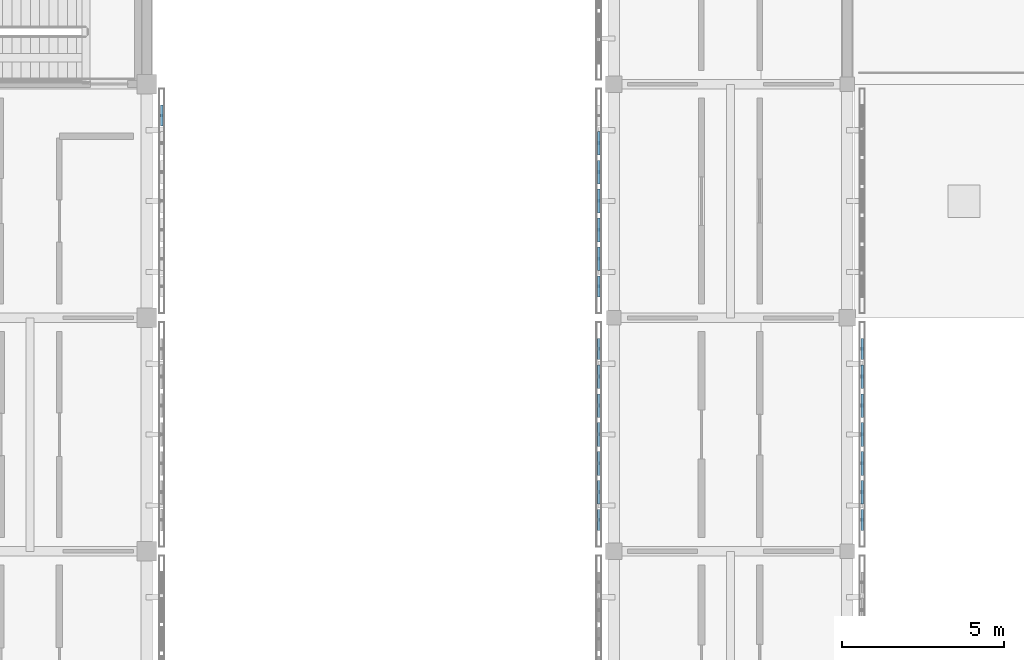
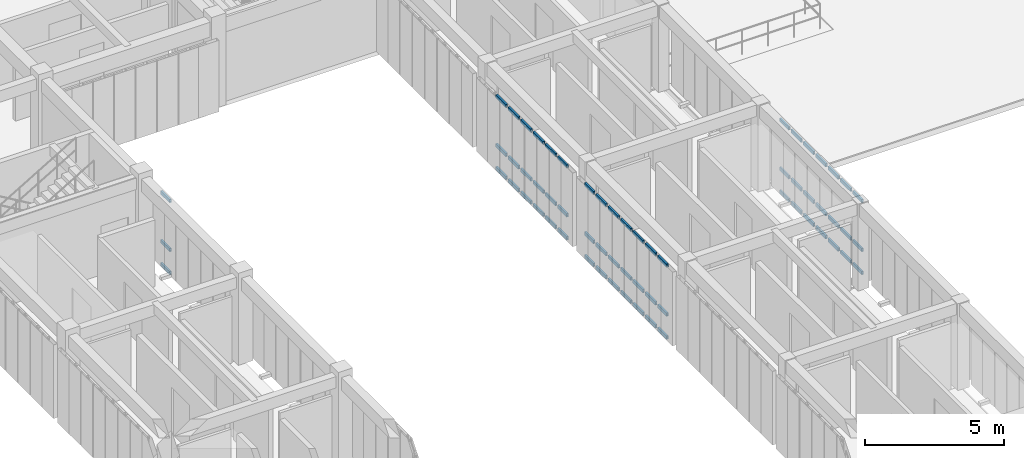
# One storey, part 22 of 67: 63 members, 4 elements without a shape of their own.
"""IFC4 building model written with IfcOpenShell, lengths in metres."""

from ifc_helpers import new_model, si_unit, direction, frame, origin, origin_2d, place, context, subcontext, project, spatial, hollow_rectangle, extrude, material, material_profile, profile_set, type_object, element, aggregate, save


model = new_model("IFC4")

# Units and contexts
model_context = context("Model", 3, precision=1e-05, world=origin(), true_north=direction((0.0, 1.0)))
body_context = subcontext(model_context, "Body", "Model", "MODEL_VIEW")
ifc_project = project(units=[si_unit("LENGTHUNIT", "METRE"), si_unit("AREAUNIT", "SQUARE_METRE"), si_unit("VOLUMEUNIT", "CUBIC_METRE"), si_unit("PLANEANGLEUNIT", "RADIAN"), si_unit("MASSUNIT", "GRAM", prefix="KILO")], contexts=[model_context])

# Site, building, storey
site_placement = place(None, origin())
site = spatial("IfcSite", under=ifc_project, at=site_placement, CompositionType="ELEMENT")
building_placement = place(site_placement, origin())
building = spatial("IfcBuilding", under=site, at=building_placement, Name="Aldebral Square Health Centre", CompositionType="ELEMENT")
storey_placement = place(building_placement, frame((0.0, 0.0, 13.5)))
storey = spatial("IfcBuildingStorey", under=building, at=storey_placement, Name="L03", CompositionType="ELEMENT", Elevation=13.5)

# Curtain wall, members
ifc_material_1 = material(Name="Aluminium and low-E solar glass", Category="aluminium")
curtain_wall_type = type_object("IfcCurtainWallType", Name="CW-FIN-SYS", PredefinedType="USERDEFINED", material=ifc_material_1)
curtain_wall_1_placement = place(storey_placement, origin())
curtain_wall_1 = element("IfcCurtainWall", 1, at=curtain_wall_1_placement, inside=storey, type_object=curtain_wall_type, Name="L03 V4 finned curtain wall L03-V4-00-12-E", ObjectType="SOLAR_CURTAIN_WALL", PredefinedType="USERDEFINED")
ifc_material_2 = material(Name="Anodised aluminium transom", Category="aluminium")
ifc_material_profile = material_profile(ifc_material_2, hollow_rectangle(XDim=0.074951171875, YDim=0.14990234375, WallThickness=0.00390625, at=origin_2d()), Name="CWT 75x150x4")
ifc_profile_set = profile_set([ifc_material_profile], Name="Anodised aluminium transom")
member_type = type_object("IfcMemberType", Name="CWT-STD", PredefinedType="USERDEFINED", material=ifc_profile_set)
member_1_placement = place(storey_placement, frame((7.659912109375, 92.30859375, 0.03759765625), z_axis=(0.0, 1.0, 0.0), x_axis=(-1.0, 0.0, 0.0)))
member_1 = element("IfcMember", 2, at=member_1_placement, type_object=member_type, Name="CW1 transom 7.1", ObjectType="TRANSOM", PredefinedType="USERDEFINED", context=body_context, shape_type="SweptSolid", body=[
    extrude(hollow_rectangle(XDim=0.074951171875, YDim=0.14990234375, WallThickness=0.00390625, at=origin_2d()), origin(), (0.0, 0.0, 1.0), 0.6513671875),
])
member_2_placement = place(storey_placement, frame((7.659912109375, 92.30859375, 1.050048828125), z_axis=(0.0, 1.0, 0.0), x_axis=(-1.0, 0.0, 0.0)))
member_2 = element("IfcMember", 3, at=member_2_placement, type_object=member_type, Name="CW1 transom 7.2", ObjectType="TRANSOM", PredefinedType="USERDEFINED", context=body_context, shape_type="SweptSolid", body=[
    extrude(hollow_rectangle(XDim=0.074951171875, YDim=0.14990234375, WallThickness=0.00390625, at=origin_2d()), origin(), (0.0, 0.0, 1.0), 0.6513671875),
])
member_3_placement = place(storey_placement, frame((7.659912109375, 92.30859375, 3.202392578125), z_axis=(0.0, 1.0, 0.0), x_axis=(-1.0, 0.0, 0.0)))
member_3 = element("IfcMember", 4, at=member_3_placement, type_object=member_type, Name="CW1 transom 7.3", ObjectType="TRANSOM", PredefinedType="USERDEFINED", context=body_context, shape_type="SweptSolid", body=[
    extrude(hollow_rectangle(XDim=0.074951171875, YDim=0.14990234375, WallThickness=0.00390625, at=origin_2d()), origin(), (0.0, 0.0, 1.0), 0.6513671875),
])
aggregate(curtain_wall_1, [member_1, member_2, member_3])

curtain_wall_2_placement = place(storey_placement, origin())
curtain_wall_2 = element("IfcCurtainWall", 5, at=curtain_wall_2_placement, inside=storey, type_object=curtain_wall_type, Name="L03 V4 finned curtain wall L03-V4-03-11-W", ObjectType="SOLAR_CURTAIN_WALL", PredefinedType="USERDEFINED")
member_4_placement = place(storey_placement, frame((21.139892578125, 85.760009765625, 0.03759765625), z_axis=(0.0, -1.0, 0.0), x_axis=(1.0, 0.0, 0.0)))
member_4 = element("IfcMember", 6, at=member_4_placement, type_object=member_type, Name="CW1 transom 1.1", ObjectType="TRANSOM", PredefinedType="USERDEFINED", context=body_context, shape_type="SweptSolid", body=[
    extrude(hollow_rectangle(XDim=0.074951171875, YDim=0.14990234375, WallThickness=0.00390625, at=origin_2d()), origin(), (0.0, 0.0, 1.0), 0.6513671875),
])
member_5_placement = place(storey_placement, frame((21.139892578125, 85.760009765625, 1.050048828125), z_axis=(0.0, -1.0, 0.0), x_axis=(1.0, 0.0, 0.0)))
member_5 = element("IfcMember", 7, at=member_5_placement, type_object=member_type, Name="CW1 transom 1.2", ObjectType="TRANSOM", PredefinedType="USERDEFINED", context=body_context, shape_type="SweptSolid", body=[
    extrude(hollow_rectangle(XDim=0.074951171875, YDim=0.14990234375, WallThickness=0.00390625, at=origin_2d()), origin(), (0.0, 0.0, 1.0), 0.6513671875),
])
member_6_placement = place(storey_placement, frame((21.139892578125, 85.760009765625, 3.202392578125), z_axis=(0.0, -1.0, 0.0), x_axis=(1.0, 0.0, 0.0)))
member_6 = element("IfcMember", 8, at=member_6_placement, type_object=member_type, Name="CW1 transom 1.3", ObjectType="TRANSOM", PredefinedType="USERDEFINED", context=body_context, shape_type="SweptSolid", body=[
    extrude(hollow_rectangle(XDim=0.074951171875, YDim=0.14990234375, WallThickness=0.00390625, at=origin_2d()), origin(), (0.0, 0.0, 1.0), 0.6513671875),
])
member_7_placement = place(storey_placement, frame((21.139892578125, 84.948486328125, 0.03759765625), z_axis=(0.0, -1.0, 0.0), x_axis=(1.0, 0.0, 0.0)))
member_7 = element("IfcMember", 9, at=member_7_placement, type_object=member_type, Name="CW1 transom 2.1", ObjectType="TRANSOM", PredefinedType="USERDEFINED", context=body_context, shape_type="SweptSolid", body=[
    extrude(hollow_rectangle(XDim=0.074951171875, YDim=0.14990234375, WallThickness=0.00390625, at=origin_2d()), origin(), (0.0, 0.0, 1.0), 0.7314453125),
])
member_8_placement = place(storey_placement, frame((21.139892578125, 84.948486328125, 1.050048828125), z_axis=(0.0, -1.0, 0.0), x_axis=(1.0, 0.0, 0.0)))
member_8 = element("IfcMember", 10, at=member_8_placement, type_object=member_type, Name="CW1 transom 2.2", ObjectType="TRANSOM", PredefinedType="USERDEFINED", context=body_context, shape_type="SweptSolid", body=[
    extrude(hollow_rectangle(XDim=0.074951171875, YDim=0.14990234375, WallThickness=0.00390625, at=origin_2d()), origin(), (0.0, 0.0, 1.0), 0.7314453125),
])
member_9_placement = place(storey_placement, frame((21.139892578125, 84.948486328125, 3.202392578125), z_axis=(0.0, -1.0, 0.0), x_axis=(1.0, 0.0, 0.0)))
member_9 = element("IfcMember", 11, at=member_9_placement, type_object=member_type, Name="CW1 transom 2.3", ObjectType="TRANSOM", PredefinedType="USERDEFINED", context=body_context, shape_type="SweptSolid", body=[
    extrude(hollow_rectangle(XDim=0.074951171875, YDim=0.14990234375, WallThickness=0.00390625, at=origin_2d()), origin(), (0.0, 0.0, 1.0), 0.7314453125),
])
member_10_placement = place(storey_placement, frame((21.139892578125, 84.05712890625, 0.03759765625), z_axis=(0.0, -1.0, 0.0), x_axis=(1.0, 0.0, 0.0)))
member_10 = element("IfcMember", 12, at=member_10_placement, type_object=member_type, Name="CW1 transom 3.1", ObjectType="TRANSOM", PredefinedType="USERDEFINED", context=body_context, shape_type="SweptSolid", body=[
    extrude(hollow_rectangle(XDim=0.074951171875, YDim=0.14990234375, WallThickness=0.00390625, at=origin_2d()), origin(), (0.0, 0.0, 1.0), 0.7314453125),
])
member_11_placement = place(storey_placement, frame((21.139892578125, 84.05712890625, 1.050048828125), z_axis=(0.0, -1.0, 0.0), x_axis=(1.0, 0.0, 0.0)))
member_11 = element("IfcMember", 13, at=member_11_placement, type_object=member_type, Name="CW1 transom 3.2", ObjectType="TRANSOM", PredefinedType="USERDEFINED", context=body_context, shape_type="SweptSolid", body=[
    extrude(hollow_rectangle(XDim=0.074951171875, YDim=0.14990234375, WallThickness=0.00390625, at=origin_2d()), origin(), (0.0, 0.0, 1.0), 0.7314453125),
])
member_12_placement = place(storey_placement, frame((21.139892578125, 84.05712890625, 3.202392578125), z_axis=(0.0, -1.0, 0.0), x_axis=(1.0, 0.0, 0.0)))
member_12 = element("IfcMember", 14, at=member_12_placement, type_object=member_type, Name="CW1 transom 3.3", ObjectType="TRANSOM", PredefinedType="USERDEFINED", context=body_context, shape_type="SweptSolid", body=[
    extrude(hollow_rectangle(XDim=0.074951171875, YDim=0.14990234375, WallThickness=0.00390625, at=origin_2d()), origin(), (0.0, 0.0, 1.0), 0.7314453125),
])
member_13_placement = place(storey_placement, frame((21.139892578125, 83.165771484375, 0.03759765625), z_axis=(0.0, -1.0, 0.0), x_axis=(1.0, 0.0, 0.0)))
member_13 = element("IfcMember", 15, at=member_13_placement, type_object=member_type, Name="CW1 transom 4.1", ObjectType="TRANSOM", PredefinedType="USERDEFINED", context=body_context, shape_type="SweptSolid", body=[
    extrude(hollow_rectangle(XDim=0.074951171875, YDim=0.14990234375, WallThickness=0.00390625, at=origin_2d()), origin(), (0.0, 0.0, 1.0), 0.7314453125),
])
member_14_placement = place(storey_placement, frame((21.139892578125, 83.165771484375, 1.050048828125), z_axis=(0.0, -1.0, 0.0), x_axis=(1.0, 0.0, 0.0)))
member_14 = element("IfcMember", 16, at=member_14_placement, type_object=member_type, Name="CW1 transom 4.2", ObjectType="TRANSOM", PredefinedType="USERDEFINED", context=body_context, shape_type="SweptSolid", body=[
    extrude(hollow_rectangle(XDim=0.074951171875, YDim=0.14990234375, WallThickness=0.00390625, at=origin_2d()), origin(), (0.0, 0.0, 1.0), 0.7314453125),
])
member_15_placement = place(storey_placement, frame((21.139892578125, 83.165771484375, 3.202392578125), z_axis=(0.0, -1.0, 0.0), x_axis=(1.0, 0.0, 0.0)))
member_15 = element("IfcMember", 17, at=member_15_placement, type_object=member_type, Name="CW1 transom 4.3", ObjectType="TRANSOM", PredefinedType="USERDEFINED", context=body_context, shape_type="SweptSolid", body=[
    extrude(hollow_rectangle(XDim=0.074951171875, YDim=0.14990234375, WallThickness=0.00390625, at=origin_2d()), origin(), (0.0, 0.0, 1.0), 0.7314453125),
])
member_16_placement = place(storey_placement, frame((21.139892578125, 82.274169921875, 0.03759765625), z_axis=(0.0, -1.0, 0.0), x_axis=(1.0, 0.0, 0.0)))
member_16 = element("IfcMember", 18, at=member_16_placement, type_object=member_type, Name="CW1 transom 5.1", ObjectType="TRANSOM", PredefinedType="USERDEFINED", context=body_context, shape_type="SweptSolid", body=[
    extrude(hollow_rectangle(XDim=0.074951171875, YDim=0.14990234375, WallThickness=0.00390625, at=origin_2d()), origin(), (0.0, 0.0, 1.0), 0.731201171875),
])
member_17_placement = place(storey_placement, frame((21.139892578125, 82.274169921875, 1.050048828125), z_axis=(0.0, -1.0, 0.0), x_axis=(1.0, 0.0, 0.0)))
member_17 = element("IfcMember", 19, at=member_17_placement, type_object=member_type, Name="CW1 transom 5.2", ObjectType="TRANSOM", PredefinedType="USERDEFINED", context=body_context, shape_type="SweptSolid", body=[
    extrude(hollow_rectangle(XDim=0.074951171875, YDim=0.14990234375, WallThickness=0.00390625, at=origin_2d()), origin(), (0.0, 0.0, 1.0), 0.731201171875),
])
member_18_placement = place(storey_placement, frame((21.139892578125, 82.274169921875, 3.202392578125), z_axis=(0.0, -1.0, 0.0), x_axis=(1.0, 0.0, 0.0)))
member_18 = element("IfcMember", 20, at=member_18_placement, type_object=member_type, Name="CW1 transom 5.3", ObjectType="TRANSOM", PredefinedType="USERDEFINED", context=body_context, shape_type="SweptSolid", body=[
    extrude(hollow_rectangle(XDim=0.074951171875, YDim=0.14990234375, WallThickness=0.00390625, at=origin_2d()), origin(), (0.0, 0.0, 1.0), 0.731201171875),
])
member_19_placement = place(storey_placement, frame((21.139892578125, 81.3828125, 0.03759765625), z_axis=(0.0, -1.0, 0.0), x_axis=(1.0, 0.0, 0.0)))
member_19 = element("IfcMember", 21, at=member_19_placement, type_object=member_type, Name="CW1 transom 6.1", ObjectType="TRANSOM", PredefinedType="USERDEFINED", context=body_context, shape_type="SweptSolid", body=[
    extrude(hollow_rectangle(XDim=0.074951171875, YDim=0.14990234375, WallThickness=0.00390625, at=origin_2d()), origin(), (0.0, 0.0, 1.0), 0.7314453125),
])
member_20_placement = place(storey_placement, frame((21.139892578125, 81.3828125, 1.050048828125), z_axis=(0.0, -1.0, 0.0), x_axis=(1.0, 0.0, 0.0)))
member_20 = element("IfcMember", 22, at=member_20_placement, type_object=member_type, Name="CW1 transom 6.2", ObjectType="TRANSOM", PredefinedType="USERDEFINED", context=body_context, shape_type="SweptSolid", body=[
    extrude(hollow_rectangle(XDim=0.074951171875, YDim=0.14990234375, WallThickness=0.00390625, at=origin_2d()), origin(), (0.0, 0.0, 1.0), 0.7314453125),
])
member_21_placement = place(storey_placement, frame((21.139892578125, 81.3828125, 3.202392578125), z_axis=(0.0, -1.0, 0.0), x_axis=(1.0, 0.0, 0.0)))
member_21 = element("IfcMember", 23, at=member_21_placement, type_object=member_type, Name="CW1 transom 6.3", ObjectType="TRANSOM", PredefinedType="USERDEFINED", context=body_context, shape_type="SweptSolid", body=[
    extrude(hollow_rectangle(XDim=0.074951171875, YDim=0.14990234375, WallThickness=0.00390625, at=origin_2d()), origin(), (0.0, 0.0, 1.0), 0.7314453125),
])
member_22_placement = place(storey_placement, frame((21.139892578125, 80.491455078125, 0.03759765625), z_axis=(0.0, -1.0, 0.0), x_axis=(1.0, 0.0, 0.0)))
member_22 = element("IfcMember", 24, at=member_22_placement, type_object=member_type, Name="CW1 transom 7.1", ObjectType="TRANSOM", PredefinedType="USERDEFINED", context=body_context, shape_type="SweptSolid", body=[
    extrude(hollow_rectangle(XDim=0.074951171875, YDim=0.14990234375, WallThickness=0.00390625, at=origin_2d()), origin(), (0.0, 0.0, 1.0), 0.6513671875),
])
member_23_placement = place(storey_placement, frame((21.139892578125, 80.491455078125, 1.050048828125), z_axis=(0.0, -1.0, 0.0), x_axis=(1.0, 0.0, 0.0)))
member_23 = element("IfcMember", 25, at=member_23_placement, type_object=member_type, Name="CW1 transom 7.2", ObjectType="TRANSOM", PredefinedType="USERDEFINED", context=body_context, shape_type="SweptSolid", body=[
    extrude(hollow_rectangle(XDim=0.074951171875, YDim=0.14990234375, WallThickness=0.00390625, at=origin_2d()), origin(), (0.0, 0.0, 1.0), 0.6513671875),
])
member_24_placement = place(storey_placement, frame((21.139892578125, 80.491455078125, 3.202392578125), z_axis=(0.0, -1.0, 0.0), x_axis=(1.0, 0.0, 0.0)))
member_24 = element("IfcMember", 26, at=member_24_placement, type_object=member_type, Name="CW1 transom 7.3", ObjectType="TRANSOM", PredefinedType="USERDEFINED", context=body_context, shape_type="SweptSolid", body=[
    extrude(hollow_rectangle(XDim=0.074951171875, YDim=0.14990234375, WallThickness=0.00390625, at=origin_2d()), origin(), (0.0, 0.0, 1.0), 0.6513671875),
])
aggregate(curtain_wall_2, [member_4, member_5, member_6, member_7, member_8, member_9, member_10, member_11, member_12, member_13, member_14, member_15, member_16, member_17, member_18, member_19, member_20, member_21, member_22, member_23, member_24])

curtain_wall_3_placement = place(storey_placement, origin())
curtain_wall_3 = element("IfcCurtainWall", 27, at=curtain_wall_3_placement, inside=storey, type_object=curtain_wall_type, Name="L03 V4 finned curtain wall L03-V4-03-11-E", ObjectType="SOLAR_CURTAIN_WALL", PredefinedType="USERDEFINED")
member_25_placement = place(storey_placement, frame((29.260009765625, 79.840087890625, 0.03759765625), z_axis=(0.0, 1.0, 0.0), x_axis=(-1.0, 0.0, 0.0)))
member_25 = element("IfcMember", 28, at=member_25_placement, type_object=member_type, Name="CW1 transom 1.1", ObjectType="TRANSOM", PredefinedType="USERDEFINED", context=body_context, shape_type="SweptSolid", body=[
    extrude(hollow_rectangle(XDim=0.074951171875, YDim=0.14990234375, WallThickness=0.00390625, at=origin_2d()), origin(), (0.0, 0.0, 1.0), 0.6513671875),
])
member_26_placement = place(storey_placement, frame((29.260009765625, 79.840087890625, 1.050048828125), z_axis=(0.0, 1.0, 0.0), x_axis=(-1.0, 0.0, 0.0)))
member_26 = element("IfcMember", 29, at=member_26_placement, type_object=member_type, Name="CW1 transom 1.2", ObjectType="TRANSOM", PredefinedType="USERDEFINED", context=body_context, shape_type="SweptSolid", body=[
    extrude(hollow_rectangle(XDim=0.074951171875, YDim=0.14990234375, WallThickness=0.00390625, at=origin_2d()), origin(), (0.0, 0.0, 1.0), 0.6513671875),
])
member_27_placement = place(storey_placement, frame((29.260009765625, 79.840087890625, 3.202392578125), z_axis=(0.0, 1.0, 0.0), x_axis=(-1.0, 0.0, 0.0)))
member_27 = element("IfcMember", 30, at=member_27_placement, type_object=member_type, Name="CW1 transom 1.3", ObjectType="TRANSOM", PredefinedType="USERDEFINED", context=body_context, shape_type="SweptSolid", body=[
    extrude(hollow_rectangle(XDim=0.074951171875, YDim=0.14990234375, WallThickness=0.00390625, at=origin_2d()), origin(), (0.0, 0.0, 1.0), 0.6513671875),
])
member_28_placement = place(storey_placement, frame((29.260009765625, 80.6513671875, 0.03759765625), z_axis=(0.0, 1.0, 0.0), x_axis=(-1.0, 0.0, 0.0)))
member_28 = element("IfcMember", 31, at=member_28_placement, type_object=member_type, Name="CW1 transom 2.1", ObjectType="TRANSOM", PredefinedType="USERDEFINED", context=body_context, shape_type="SweptSolid", body=[
    extrude(hollow_rectangle(XDim=0.074951171875, YDim=0.14990234375, WallThickness=0.00390625, at=origin_2d()), origin(), (0.0, 0.0, 1.0), 0.7314453125),
])
member_29_placement = place(storey_placement, frame((29.260009765625, 80.6513671875, 1.050048828125), z_axis=(0.0, 1.0, 0.0), x_axis=(-1.0, 0.0, 0.0)))
member_29 = element("IfcMember", 32, at=member_29_placement, type_object=member_type, Name="CW1 transom 2.2", ObjectType="TRANSOM", PredefinedType="USERDEFINED", context=body_context, shape_type="SweptSolid", body=[
    extrude(hollow_rectangle(XDim=0.074951171875, YDim=0.14990234375, WallThickness=0.00390625, at=origin_2d()), origin(), (0.0, 0.0, 1.0), 0.7314453125),
])
member_30_placement = place(storey_placement, frame((29.260009765625, 80.6513671875, 3.202392578125), z_axis=(0.0, 1.0, 0.0), x_axis=(-1.0, 0.0, 0.0)))
member_30 = element("IfcMember", 33, at=member_30_placement, type_object=member_type, Name="CW1 transom 2.3", ObjectType="TRANSOM", PredefinedType="USERDEFINED", context=body_context, shape_type="SweptSolid", body=[
    extrude(hollow_rectangle(XDim=0.074951171875, YDim=0.14990234375, WallThickness=0.00390625, at=origin_2d()), origin(), (0.0, 0.0, 1.0), 0.7314453125),
])
member_31_placement = place(storey_placement, frame((29.260009765625, 81.54296875, 0.03759765625), z_axis=(0.0, 1.0, 0.0), x_axis=(-1.0, 0.0, 0.0)))
member_31 = element("IfcMember", 34, at=member_31_placement, type_object=member_type, Name="CW1 transom 3.1", ObjectType="TRANSOM", PredefinedType="USERDEFINED", context=body_context, shape_type="SweptSolid", body=[
    extrude(hollow_rectangle(XDim=0.074951171875, YDim=0.14990234375, WallThickness=0.00390625, at=origin_2d()), origin(), (0.0, 0.0, 1.0), 0.731201171875),
])
member_32_placement = place(storey_placement, frame((29.260009765625, 81.54296875, 1.050048828125), z_axis=(0.0, 1.0, 0.0), x_axis=(-1.0, 0.0, 0.0)))
member_32 = element("IfcMember", 35, at=member_32_placement, type_object=member_type, Name="CW1 transom 3.2", ObjectType="TRANSOM", PredefinedType="USERDEFINED", context=body_context, shape_type="SweptSolid", body=[
    extrude(hollow_rectangle(XDim=0.074951171875, YDim=0.14990234375, WallThickness=0.00390625, at=origin_2d()), origin(), (0.0, 0.0, 1.0), 0.731201171875),
])
member_33_placement = place(storey_placement, frame((29.260009765625, 81.54296875, 3.202392578125), z_axis=(0.0, 1.0, 0.0), x_axis=(-1.0, 0.0, 0.0)))
member_33 = element("IfcMember", 36, at=member_33_placement, type_object=member_type, Name="CW1 transom 3.3", ObjectType="TRANSOM", PredefinedType="USERDEFINED", context=body_context, shape_type="SweptSolid", body=[
    extrude(hollow_rectangle(XDim=0.074951171875, YDim=0.14990234375, WallThickness=0.00390625, at=origin_2d()), origin(), (0.0, 0.0, 1.0), 0.731201171875),
])
member_34_placement = place(storey_placement, frame((29.260009765625, 82.434326171875, 0.03759765625), z_axis=(0.0, 1.0, 0.0), x_axis=(-1.0, 0.0, 0.0)))
member_34 = element("IfcMember", 37, at=member_34_placement, type_object=member_type, Name="CW1 transom 4.1", ObjectType="TRANSOM", PredefinedType="USERDEFINED", context=body_context, shape_type="SweptSolid", body=[
    extrude(hollow_rectangle(XDim=0.074951171875, YDim=0.14990234375, WallThickness=0.00390625, at=origin_2d()), origin(), (0.0, 0.0, 1.0), 0.7314453125),
])
member_35_placement = place(storey_placement, frame((29.260009765625, 82.434326171875, 1.050048828125), z_axis=(0.0, 1.0, 0.0), x_axis=(-1.0, 0.0, 0.0)))
member_35 = element("IfcMember", 38, at=member_35_placement, type_object=member_type, Name="CW1 transom 4.2", ObjectType="TRANSOM", PredefinedType="USERDEFINED", context=body_context, shape_type="SweptSolid", body=[
    extrude(hollow_rectangle(XDim=0.074951171875, YDim=0.14990234375, WallThickness=0.00390625, at=origin_2d()), origin(), (0.0, 0.0, 1.0), 0.7314453125),
])
member_36_placement = place(storey_placement, frame((29.260009765625, 82.434326171875, 3.202392578125), z_axis=(0.0, 1.0, 0.0), x_axis=(-1.0, 0.0, 0.0)))
member_36 = element("IfcMember", 39, at=member_36_placement, type_object=member_type, Name="CW1 transom 4.3", ObjectType="TRANSOM", PredefinedType="USERDEFINED", context=body_context, shape_type="SweptSolid", body=[
    extrude(hollow_rectangle(XDim=0.074951171875, YDim=0.14990234375, WallThickness=0.00390625, at=origin_2d()), origin(), (0.0, 0.0, 1.0), 0.7314453125),
])
member_37_placement = place(storey_placement, frame((29.260009765625, 83.32568359375, 0.03759765625), z_axis=(0.0, 1.0, 0.0), x_axis=(-1.0, 0.0, 0.0)))
member_37 = element("IfcMember", 40, at=member_37_placement, type_object=member_type, Name="CW1 transom 5.1", ObjectType="TRANSOM", PredefinedType="USERDEFINED", context=body_context, shape_type="SweptSolid", body=[
    extrude(hollow_rectangle(XDim=0.074951171875, YDim=0.14990234375, WallThickness=0.00390625, at=origin_2d()), origin(), (0.0, 0.0, 1.0), 0.7314453125),
])
member_38_placement = place(storey_placement, frame((29.260009765625, 83.32568359375, 1.050048828125), z_axis=(0.0, 1.0, 0.0), x_axis=(-1.0, 0.0, 0.0)))
member_38 = element("IfcMember", 41, at=member_38_placement, type_object=member_type, Name="CW1 transom 5.2", ObjectType="TRANSOM", PredefinedType="USERDEFINED", context=body_context, shape_type="SweptSolid", body=[
    extrude(hollow_rectangle(XDim=0.074951171875, YDim=0.14990234375, WallThickness=0.00390625, at=origin_2d()), origin(), (0.0, 0.0, 1.0), 0.7314453125),
])
member_39_placement = place(storey_placement, frame((29.260009765625, 83.32568359375, 3.202392578125), z_axis=(0.0, 1.0, 0.0), x_axis=(-1.0, 0.0, 0.0)))
member_39 = element("IfcMember", 42, at=member_39_placement, type_object=member_type, Name="CW1 transom 5.3", ObjectType="TRANSOM", PredefinedType="USERDEFINED", context=body_context, shape_type="SweptSolid", body=[
    extrude(hollow_rectangle(XDim=0.074951171875, YDim=0.14990234375, WallThickness=0.00390625, at=origin_2d()), origin(), (0.0, 0.0, 1.0), 0.7314453125),
])
member_40_placement = place(storey_placement, frame((29.260009765625, 84.217041015625, 0.03759765625), z_axis=(0.0, 1.0, 0.0), x_axis=(-1.0, 0.0, 0.0)))
member_40 = element("IfcMember", 43, at=member_40_placement, type_object=member_type, Name="CW1 transom 6.1", ObjectType="TRANSOM", PredefinedType="USERDEFINED", context=body_context, shape_type="SweptSolid", body=[
    extrude(hollow_rectangle(XDim=0.074951171875, YDim=0.14990234375, WallThickness=0.00390625, at=origin_2d()), origin(), (0.0, 0.0, 1.0), 0.7314453125),
])
member_41_placement = place(storey_placement, frame((29.260009765625, 84.217041015625, 1.050048828125), z_axis=(0.0, 1.0, 0.0), x_axis=(-1.0, 0.0, 0.0)))
member_41 = element("IfcMember", 44, at=member_41_placement, type_object=member_type, Name="CW1 transom 6.2", ObjectType="TRANSOM", PredefinedType="USERDEFINED", context=body_context, shape_type="SweptSolid", body=[
    extrude(hollow_rectangle(XDim=0.074951171875, YDim=0.14990234375, WallThickness=0.00390625, at=origin_2d()), origin(), (0.0, 0.0, 1.0), 0.7314453125),
])
member_42_placement = place(storey_placement, frame((29.260009765625, 84.217041015625, 3.202392578125), z_axis=(0.0, 1.0, 0.0), x_axis=(-1.0, 0.0, 0.0)))
member_42 = element("IfcMember", 45, at=member_42_placement, type_object=member_type, Name="CW1 transom 6.3", ObjectType="TRANSOM", PredefinedType="USERDEFINED", context=body_context, shape_type="SweptSolid", body=[
    extrude(hollow_rectangle(XDim=0.074951171875, YDim=0.14990234375, WallThickness=0.00390625, at=origin_2d()), origin(), (0.0, 0.0, 1.0), 0.7314453125),
])
member_43_placement = place(storey_placement, frame((29.260009765625, 85.108642578125, 0.03759765625), z_axis=(0.0, 1.0, 0.0), x_axis=(-1.0, 0.0, 0.0)))
member_43 = element("IfcMember", 46, at=member_43_placement, type_object=member_type, Name="CW1 transom 7.1", ObjectType="TRANSOM", PredefinedType="USERDEFINED", context=body_context, shape_type="SweptSolid", body=[
    extrude(hollow_rectangle(XDim=0.074951171875, YDim=0.14990234375, WallThickness=0.00390625, at=origin_2d()), origin(), (0.0, 0.0, 1.0), 0.6513671875),
])
member_44_placement = place(storey_placement, frame((29.260009765625, 85.108642578125, 1.050048828125), z_axis=(0.0, 1.0, 0.0), x_axis=(-1.0, 0.0, 0.0)))
member_44 = element("IfcMember", 47, at=member_44_placement, type_object=member_type, Name="CW1 transom 7.2", ObjectType="TRANSOM", PredefinedType="USERDEFINED", context=body_context, shape_type="SweptSolid", body=[
    extrude(hollow_rectangle(XDim=0.074951171875, YDim=0.14990234375, WallThickness=0.00390625, at=origin_2d()), origin(), (0.0, 0.0, 1.0), 0.6513671875),
])
member_45_placement = place(storey_placement, frame((29.260009765625, 85.108642578125, 3.202392578125), z_axis=(0.0, 1.0, 0.0), x_axis=(-1.0, 0.0, 0.0)))
member_45 = element("IfcMember", 48, at=member_45_placement, type_object=member_type, Name="CW1 transom 7.3", ObjectType="TRANSOM", PredefinedType="USERDEFINED", context=body_context, shape_type="SweptSolid", body=[
    extrude(hollow_rectangle(XDim=0.074951171875, YDim=0.14990234375, WallThickness=0.00390625, at=origin_2d()), origin(), (0.0, 0.0, 1.0), 0.6513671875),
])
aggregate(curtain_wall_3, [member_25, member_26, member_27, member_28, member_29, member_30, member_31, member_32, member_33, member_34, member_35, member_36, member_37, member_38, member_39, member_40, member_41, member_42, member_43, member_44, member_45])

curtain_wall_4_placement = place(storey_placement, origin())
curtain_wall_4 = element("IfcCurtainWall", 49, at=curtain_wall_4_placement, inside=storey, type_object=curtain_wall_type, Name="L03 V4 finned curtain wall L03-V4-03-12-W", ObjectType="SOLAR_CURTAIN_WALL", PredefinedType="USERDEFINED")
member_46_placement = place(storey_placement, frame((21.139892578125, 92.148681640625, 0.03759765625), z_axis=(0.0, -1.0, 0.0), x_axis=(1.0, 0.0, 0.0)))
member_46 = element("IfcMember", 50, at=member_46_placement, type_object=member_type, Name="CW1 transom 2.1", ObjectType="TRANSOM", PredefinedType="USERDEFINED", context=body_context, shape_type="SweptSolid", body=[
    extrude(hollow_rectangle(XDim=0.074951171875, YDim=0.14990234375, WallThickness=0.00390625, at=origin_2d()), origin(), (0.0, 0.0, 1.0), 0.7314453125),
])
member_47_placement = place(storey_placement, frame((21.139892578125, 92.148681640625, 1.050048828125), z_axis=(0.0, -1.0, 0.0), x_axis=(1.0, 0.0, 0.0)))
member_47 = element("IfcMember", 51, at=member_47_placement, type_object=member_type, Name="CW1 transom 2.2", ObjectType="TRANSOM", PredefinedType="USERDEFINED", context=body_context, shape_type="SweptSolid", body=[
    extrude(hollow_rectangle(XDim=0.074951171875, YDim=0.14990234375, WallThickness=0.00390625, at=origin_2d()), origin(), (0.0, 0.0, 1.0), 0.7314453125),
])
member_48_placement = place(storey_placement, frame((21.139892578125, 92.148681640625, 3.202392578125), z_axis=(0.0, -1.0, 0.0), x_axis=(1.0, 0.0, 0.0)))
member_48 = element("IfcMember", 52, at=member_48_placement, type_object=member_type, Name="CW1 transom 2.3", ObjectType="TRANSOM", PredefinedType="USERDEFINED", context=body_context, shape_type="SweptSolid", body=[
    extrude(hollow_rectangle(XDim=0.074951171875, YDim=0.14990234375, WallThickness=0.00390625, at=origin_2d()), origin(), (0.0, 0.0, 1.0), 0.7314453125),
])
member_49_placement = place(storey_placement, frame((21.139892578125, 91.257080078125, 0.03759765625), z_axis=(0.0, -1.0, 0.0), x_axis=(1.0, 0.0, 0.0)))
member_49 = element("IfcMember", 53, at=member_49_placement, type_object=member_type, Name="CW1 transom 3.1", ObjectType="TRANSOM", PredefinedType="USERDEFINED", context=body_context, shape_type="SweptSolid", body=[
    extrude(hollow_rectangle(XDim=0.074951171875, YDim=0.14990234375, WallThickness=0.00390625, at=origin_2d()), origin(), (0.0, 0.0, 1.0), 0.7314453125),
])
member_50_placement = place(storey_placement, frame((21.139892578125, 91.257080078125, 1.050048828125), z_axis=(0.0, -1.0, 0.0), x_axis=(1.0, 0.0, 0.0)))
member_50 = element("IfcMember", 54, at=member_50_placement, type_object=member_type, Name="CW1 transom 3.2", ObjectType="TRANSOM", PredefinedType="USERDEFINED", context=body_context, shape_type="SweptSolid", body=[
    extrude(hollow_rectangle(XDim=0.074951171875, YDim=0.14990234375, WallThickness=0.00390625, at=origin_2d()), origin(), (0.0, 0.0, 1.0), 0.7314453125),
])
member_51_placement = place(storey_placement, frame((21.139892578125, 91.257080078125, 3.202392578125), z_axis=(0.0, -1.0, 0.0), x_axis=(1.0, 0.0, 0.0)))
member_51 = element("IfcMember", 55, at=member_51_placement, type_object=member_type, Name="CW1 transom 3.3", ObjectType="TRANSOM", PredefinedType="USERDEFINED", context=body_context, shape_type="SweptSolid", body=[
    extrude(hollow_rectangle(XDim=0.074951171875, YDim=0.14990234375, WallThickness=0.00390625, at=origin_2d()), origin(), (0.0, 0.0, 1.0), 0.7314453125),
])
member_52_placement = place(storey_placement, frame((21.139892578125, 90.36572265625, 0.03759765625), z_axis=(0.0, -1.0, 0.0), x_axis=(1.0, 0.0, 0.0)))
member_52 = element("IfcMember", 56, at=member_52_placement, type_object=member_type, Name="CW1 transom 4.1", ObjectType="TRANSOM", PredefinedType="USERDEFINED", context=body_context, shape_type="SweptSolid", body=[
    extrude(hollow_rectangle(XDim=0.074951171875, YDim=0.14990234375, WallThickness=0.00390625, at=origin_2d()), origin(), (0.0, 0.0, 1.0), 0.7314453125),
])
member_53_placement = place(storey_placement, frame((21.139892578125, 90.36572265625, 1.050048828125), z_axis=(0.0, -1.0, 0.0), x_axis=(1.0, 0.0, 0.0)))
member_53 = element("IfcMember", 57, at=member_53_placement, type_object=member_type, Name="CW1 transom 4.2", ObjectType="TRANSOM", PredefinedType="USERDEFINED", context=body_context, shape_type="SweptSolid", body=[
    extrude(hollow_rectangle(XDim=0.074951171875, YDim=0.14990234375, WallThickness=0.00390625, at=origin_2d()), origin(), (0.0, 0.0, 1.0), 0.7314453125),
])
member_54_placement = place(storey_placement, frame((21.139892578125, 90.36572265625, 3.202392578125), z_axis=(0.0, -1.0, 0.0), x_axis=(1.0, 0.0, 0.0)))
member_54 = element("IfcMember", 58, at=member_54_placement, type_object=member_type, Name="CW1 transom 4.3", ObjectType="TRANSOM", PredefinedType="USERDEFINED", context=body_context, shape_type="SweptSolid", body=[
    extrude(hollow_rectangle(XDim=0.074951171875, YDim=0.14990234375, WallThickness=0.00390625, at=origin_2d()), origin(), (0.0, 0.0, 1.0), 0.7314453125),
])
member_55_placement = place(storey_placement, frame((21.139892578125, 89.474365234375, 0.03759765625), z_axis=(0.0, -1.0, 0.0), x_axis=(1.0, 0.0, 0.0)))
member_55 = element("IfcMember", 59, at=member_55_placement, type_object=member_type, Name="CW1 transom 5.1", ObjectType="TRANSOM", PredefinedType="USERDEFINED", context=body_context, shape_type="SweptSolid", body=[
    extrude(hollow_rectangle(XDim=0.074951171875, YDim=0.14990234375, WallThickness=0.00390625, at=origin_2d()), origin(), (0.0, 0.0, 1.0), 0.7314453125),
])
member_56_placement = place(storey_placement, frame((21.139892578125, 89.474365234375, 1.050048828125), z_axis=(0.0, -1.0, 0.0), x_axis=(1.0, 0.0, 0.0)))
member_56 = element("IfcMember", 60, at=member_56_placement, type_object=member_type, Name="CW1 transom 5.2", ObjectType="TRANSOM", PredefinedType="USERDEFINED", context=body_context, shape_type="SweptSolid", body=[
    extrude(hollow_rectangle(XDim=0.074951171875, YDim=0.14990234375, WallThickness=0.00390625, at=origin_2d()), origin(), (0.0, 0.0, 1.0), 0.7314453125),
])
member_57_placement = place(storey_placement, frame((21.139892578125, 89.474365234375, 3.202392578125), z_axis=(0.0, -1.0, 0.0), x_axis=(1.0, 0.0, 0.0)))
member_57 = element("IfcMember", 61, at=member_57_placement, type_object=member_type, Name="CW1 transom 5.3", ObjectType="TRANSOM", PredefinedType="USERDEFINED", context=body_context, shape_type="SweptSolid", body=[
    extrude(hollow_rectangle(XDim=0.074951171875, YDim=0.14990234375, WallThickness=0.00390625, at=origin_2d()), origin(), (0.0, 0.0, 1.0), 0.7314453125),
])
member_58_placement = place(storey_placement, frame((21.139892578125, 88.582763671875, 0.03759765625), z_axis=(0.0, -1.0, 0.0), x_axis=(1.0, 0.0, 0.0)))
member_58 = element("IfcMember", 62, at=member_58_placement, type_object=member_type, Name="CW1 transom 6.1", ObjectType="TRANSOM", PredefinedType="USERDEFINED", context=body_context, shape_type="SweptSolid", body=[
    extrude(hollow_rectangle(XDim=0.074951171875, YDim=0.14990234375, WallThickness=0.00390625, at=origin_2d()), origin(), (0.0, 0.0, 1.0), 0.7314453125),
])
member_59_placement = place(storey_placement, frame((21.139892578125, 88.582763671875, 1.050048828125), z_axis=(0.0, -1.0, 0.0), x_axis=(1.0, 0.0, 0.0)))
member_59 = element("IfcMember", 63, at=member_59_placement, type_object=member_type, Name="CW1 transom 6.2", ObjectType="TRANSOM", PredefinedType="USERDEFINED", context=body_context, shape_type="SweptSolid", body=[
    extrude(hollow_rectangle(XDim=0.074951171875, YDim=0.14990234375, WallThickness=0.00390625, at=origin_2d()), origin(), (0.0, 0.0, 1.0), 0.7314453125),
])
member_60_placement = place(storey_placement, frame((21.139892578125, 88.582763671875, 3.202392578125), z_axis=(0.0, -1.0, 0.0), x_axis=(1.0, 0.0, 0.0)))
member_60 = element("IfcMember", 64, at=member_60_placement, type_object=member_type, Name="CW1 transom 6.3", ObjectType="TRANSOM", PredefinedType="USERDEFINED", context=body_context, shape_type="SweptSolid", body=[
    extrude(hollow_rectangle(XDim=0.074951171875, YDim=0.14990234375, WallThickness=0.00390625, at=origin_2d()), origin(), (0.0, 0.0, 1.0), 0.7314453125),
])
member_61_placement = place(storey_placement, frame((21.139892578125, 87.69140625, 0.03759765625), z_axis=(0.0, -1.0, 0.0), x_axis=(1.0, 0.0, 0.0)))
member_61 = element("IfcMember", 65, at=member_61_placement, type_object=member_type, Name="CW1 transom 7.1", ObjectType="TRANSOM", PredefinedType="USERDEFINED", context=body_context, shape_type="SweptSolid", body=[
    extrude(hollow_rectangle(XDim=0.074951171875, YDim=0.14990234375, WallThickness=0.00390625, at=origin_2d()), origin(), (0.0, 0.0, 1.0), 0.6513671875),
])
member_62_placement = place(storey_placement, frame((21.139892578125, 87.69140625, 1.050048828125), z_axis=(0.0, -1.0, 0.0), x_axis=(1.0, 0.0, 0.0)))
member_62 = element("IfcMember", 66, at=member_62_placement, type_object=member_type, Name="CW1 transom 7.2", ObjectType="TRANSOM", PredefinedType="USERDEFINED", context=body_context, shape_type="SweptSolid", body=[
    extrude(hollow_rectangle(XDim=0.074951171875, YDim=0.14990234375, WallThickness=0.00390625, at=origin_2d()), origin(), (0.0, 0.0, 1.0), 0.6513671875),
])
member_63_placement = place(storey_placement, frame((21.139892578125, 87.69140625, 3.202392578125), z_axis=(0.0, -1.0, 0.0), x_axis=(1.0, 0.0, 0.0)))
member_63 = element("IfcMember", 67, at=member_63_placement, type_object=member_type, Name="CW1 transom 7.3", ObjectType="TRANSOM", PredefinedType="USERDEFINED", context=body_context, shape_type="SweptSolid", body=[
    extrude(hollow_rectangle(XDim=0.074951171875, YDim=0.14990234375, WallThickness=0.00390625, at=origin_2d()), origin(), (0.0, 0.0, 1.0), 0.6513671875),
])
aggregate(curtain_wall_4, [member_46, member_47, member_48, member_49, member_50, member_51, member_52, member_53, member_54, member_55, member_56, member_57, member_58, member_59, member_60, member_61, member_62, member_63])

save(model, "model.ifc")
